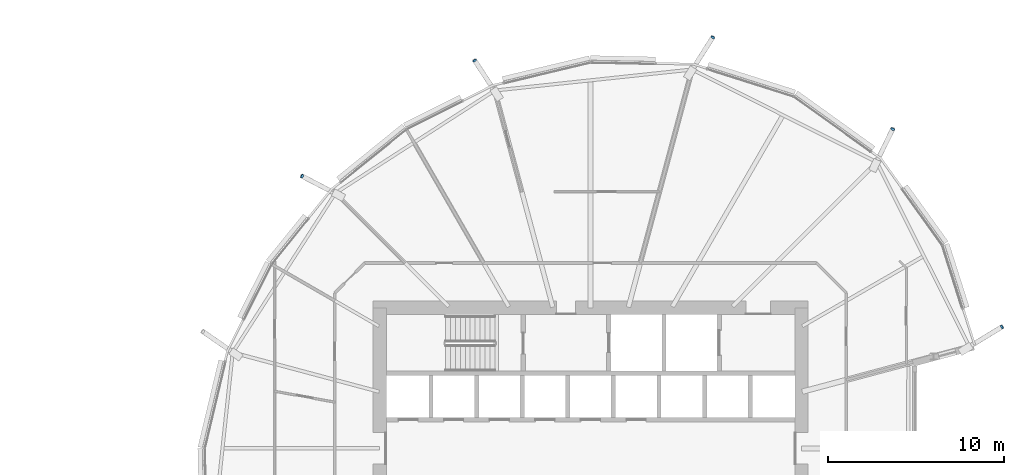
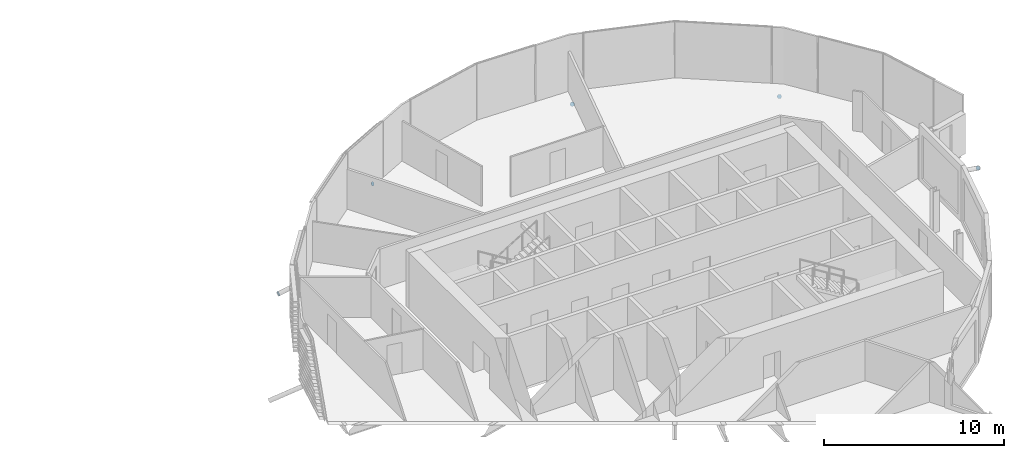
# One storey, part 32 of 38: 5 discrete accessories.
"""IFC4 building model written with IfcOpenShell, lengths in metres."""

from ifc_helpers import new_model, si_unit, direction, frame, origin, origin_2d, place, context, subcontext, project, spatial, circle, extrude, material, material_profile, profile_set, type_object, element, save


model = new_model("IFC4")

# Units and contexts
model_context = context("Model", 3, precision=1e-05, world=origin(), true_north=direction((0.0, 1.0)))
body_context = subcontext(model_context, "Body", "Model", "MODEL_VIEW")
ifc_project = project(units=[si_unit("LENGTHUNIT", "METRE"), si_unit("AREAUNIT", "SQUARE_METRE"), si_unit("VOLUMEUNIT", "CUBIC_METRE"), si_unit("PLANEANGLEUNIT", "RADIAN"), si_unit("MASSUNIT", "GRAM", prefix="KILO")], contexts=[model_context])

# Site, building, storey
site_placement = place(None, origin())
site = spatial("IfcSite", under=ifc_project, at=site_placement, CompositionType="ELEMENT")
building_placement = place(site_placement, origin())
building = spatial("IfcBuilding", under=site, at=building_placement, Name="Rimbun Link Towers", CompositionType="ELEMENT")
storey_placement = place(building_placement, frame((0.0, 0.0, 108.199951171875)))
storey = spatial("IfcBuildingStorey", under=building, at=storey_placement, Name="L26", CompositionType="ELEMENT", Elevation=108.199951171875)

# Discrete accessories
ifc_material = material(Name="Steel S355J2H", Category="steel")
ifc_material_profile = material_profile(ifc_material, circle(Radius=0.1240234375, at=origin_2d()), Name="PL D248")
ifc_profile_set = profile_set([ifc_material_profile], Name="Steel S355J2H")
discrete_accessory_type = type_object("IfcDiscreteAccessoryType", Name="Link foot sealing plate D248X20", PredefinedType="BRACKET", material=ifc_profile_set)
discrete_accessory_1_placement = place(storey_placement, frame((48.934814453125, 18.16162109375, -2.12646484375), z_axis=(0.381266032616, 0.77483096951, -0.504255075395), x_axis=(-0.897257484736, 0.441507651219, 0.0)))
element("IfcDiscreteAccessory", 1, at=discrete_accessory_1_placement, inside=storey, type_object=discrete_accessory_type, Name="Link foot sealing plate T2 L26 00", PredefinedType="BRACKET", context=body_context, shape_type="SweptSolid", body=[
    extrude(circle(Radius=0.1240234375, at=origin_2d()), origin(), (0.0, 0.0, 1.0), 0.019775390625),
])
discrete_accessory_2_placement = place(storey_placement, frame((38.697509765625, 23.3837890625, -2.230712890625), z_axis=(0.47423643072, 0.741754417281, -0.47423643072), x_axis=(-0.842522148763, 0.538661701668, 0.0)))
element("IfcDiscreteAccessory", 2, at=discrete_accessory_2_placement, inside=storey, type_object=discrete_accessory_type, Name="Link foot sealing plate T2 L26 02", PredefinedType="BRACKET", context=body_context, shape_type="SweptSolid", body=[
    extrude(circle(Radius=0.1240234375, at=origin_2d()), origin(), (0.0, 0.0, 1.0), 0.02001953125),
])
discrete_accessory_3_placement = place(storey_placement, frame((25.16162109375, 22.06201171875, -2.082275390625), z_axis=(-0.481334777797, 0.740515042765, -0.468992860418), x_axis=(-0.838443616301, -0.544988350595, 0.0)))
element("IfcDiscreteAccessory", 3, at=discrete_accessory_3_placement, inside=storey, type_object=discrete_accessory_type, Name="Link foot sealing plate T2 L26 04", PredefinedType="BRACKET", context=body_context, shape_type="SweptSolid", body=[
    extrude(circle(Radius=0.1240234375, at=origin_2d()), origin(), (0.0, 0.0, 1.0), 0.019775390625),
])
discrete_accessory_4_placement = place(storey_placement, frame((15.3466796875, 15.485595703125, -2.089599609375), z_axis=(-0.762754347907, 0.399537991761, -0.508502898605), x_axis=(-0.464006994671, -0.88583153528, 0.0)))
element("IfcDiscreteAccessory", 4, at=discrete_accessory_4_placement, inside=storey, type_object=discrete_accessory_type, Name="Link foot sealing plate T2 L26 06", PredefinedType="BRACKET", context=body_context, shape_type="SweptSolid", body=[
    extrude(circle(Radius=0.1240234375, at=origin_2d()), origin(), (0.0, 0.0, 1.0), 0.020263671875),
])
discrete_accessory_5_placement = place(storey_placement, frame((55.1455078125, 6.910888671875, -2.320068359375), z_axis=(0.755535949399, 0.4752564843, -0.4508843569), x_axis=(-0.532451118741, 0.846460752871, 0.0)))
element("IfcDiscreteAccessory", 5, at=discrete_accessory_5_placement, inside=storey, type_object=discrete_accessory_type, Name="Link foot sealing plate T2 L26 22", PredefinedType="BRACKET", context=body_context, shape_type="SweptSolid", body=[
    extrude(circle(Radius=0.1240234375, at=origin_2d()), origin(), (0.0, 0.0, 1.0), 0.02001953125),
])

save(model, "model.ifc")
